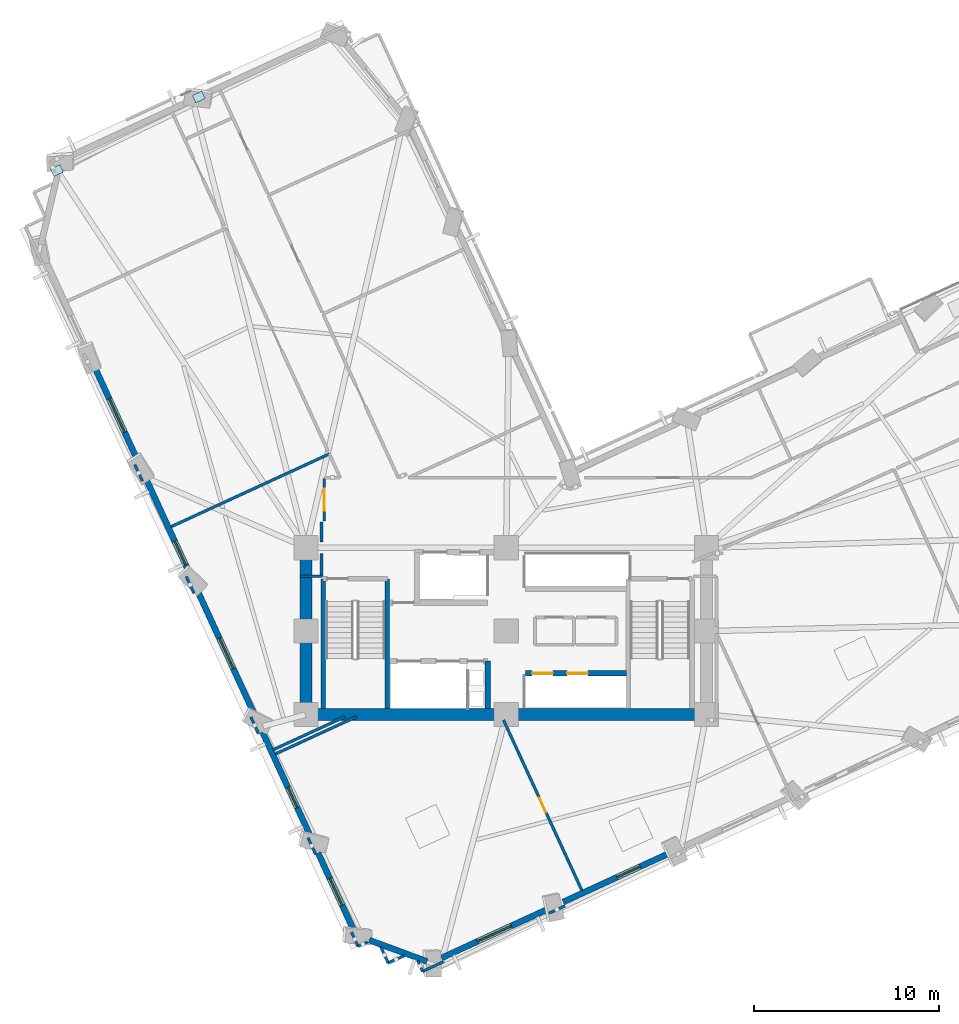
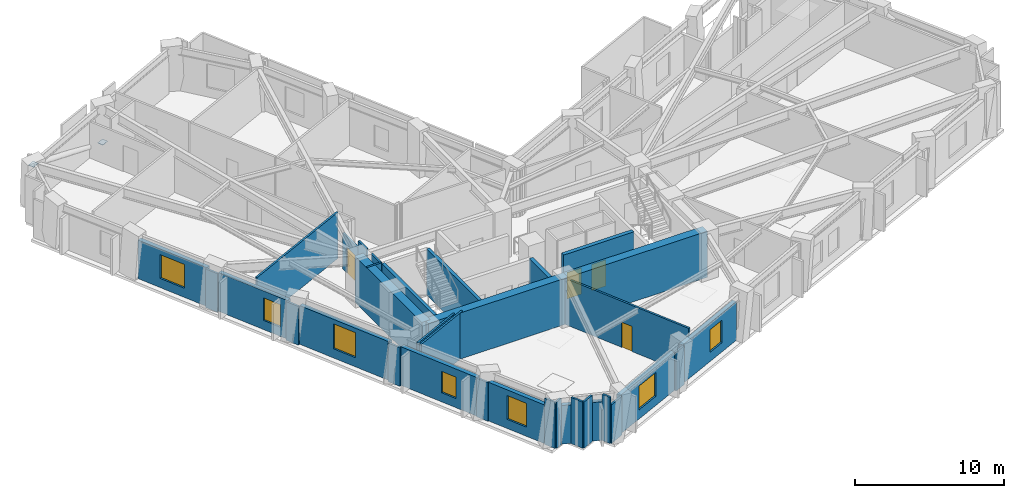
# One storey, part 7 of 16: 34 walls, 7 windows, 4 doors, 2 plates, 11 openings.
"""IFC4 building model written with IfcOpenShell, lengths in metres."""

from ifc_helpers import new_model, si_unit, direction, frame, frame_2d, origin, origin_2d, place, context, subcontext, project, spatial, rectangle, extrude, material, layer, layer_set, type_object, element, fill, save


model = new_model("IFC4")

# Units and contexts
model_context = context("Model", 3, precision=1e-05, world=origin(), true_north=direction((0.0, 1.0)))
body_context = subcontext(model_context, "Body", "Model", "MODEL_VIEW")
ifc_project = project(units=[si_unit("LENGTHUNIT", "METRE"), si_unit("AREAUNIT", "SQUARE_METRE"), si_unit("VOLUMEUNIT", "CUBIC_METRE"), si_unit("PLANEANGLEUNIT", "RADIAN"), si_unit("MASSUNIT", "GRAM", prefix="KILO")], contexts=[model_context])

# Site, building, storey
site_placement = place(None, origin())
site = spatial("IfcSite", under=ifc_project, at=site_placement, CompositionType="ELEMENT")
building_placement = place(site_placement, origin())
building = spatial("IfcBuilding", under=site, at=building_placement, Name="Gaonmaruhae Medical Tower", CompositionType="ELEMENT")
storey_placement = place(building_placement, frame((0.0, 0.0, 128.39990234375)))
storey = spatial("IfcBuildingStorey", under=building, at=storey_placement, Name="L30", CompositionType="ELEMENT", Elevation=128.39990234375)

# Plates
ifc_material_1 = material(Name="Steel HSA650 (650 MPa)", Category="steel")
ifc_layer_1 = layer(ifc_material_1, 0.028076171875)
ifc_layer_set_1 = layer_set([ifc_layer_1], Name="Steel HSA650 (650 MPa)")
plate_type = type_object("IfcPlateType", Name="GP-02 Tube Brace End Cap Gusset Plate", PredefinedType="USERDEFINED", material=ifc_layer_set_1)
for number, where, z_axis, x_axis, name in (
    (1, (8.201904296875, 41.131103515625, 0.23583984375), (0.0, 0.0, 1.0), (0.908508177527, 0.417867073801, 0.0), "L30 Gusset Cap Plate PLT-L30-PBR-N02A"),
    (2, (0.542724609375, 37.158203125, 3.51611328125), (0.0, 0.0, 1.0), (0.901455117112, 0.43287258152, 0.0), "L30 Gusset Cap Plate PLT-L30-PBR-N02B"),
):
    element("IfcPlate", number, at=place(storey_placement, frame(where, z_axis=z_axis, x_axis=x_axis)), inside=storey, type_object=plate_type, Name=name, ObjectType="GUSSET_PLATE", PredefinedType="USERDEFINED", context=body_context, shape_type="SweptSolid", body=[
        extrude(rectangle(XDim=0.56005859375, YDim=0.43994140625, at=origin_2d()), origin(), (0.0, 0.0, 1.0), 0.028076171875),
    ])

# Walls
ifc_material_2 = material(Name="Concrete C60/75", Category="concrete")
ifc_layer_2 = layer(ifc_material_2, 0.64990234375)
ifc_layer_set_2 = layer_set([ifc_layer_2], Name="Concrete C60/75")
wall_type_1 = type_object("IfcWallType", Name="CW-650 Zone 2 Core Shear Wall", PredefinedType="SHEAR", material=ifc_layer_set_2)
for number, where, z_axis, x_axis, name in (
    (3, (14.0, 7.800048828125, 0.0), (0.0, 0.0, 1.0), (1.0, 0.0, 0.0), "L30 Core Shear Wall CSW-S1"),
    (4, (24.800048828125, 7.800048828125, 0.0), (0.0, 0.0, 1.0), (1.0, 0.0, 0.0), "L30 Core Shear Wall CSW-S2"),
):
    element("IfcWall", number, at=place(storey_placement, frame(where, z_axis=z_axis, x_axis=x_axis)), inside=storey, type_object=wall_type_1, Name=name, PredefinedType="SHEAR", context=body_context, shape_type="SweptSolid", body=[
        extrude(rectangle(XDim=10.800048828125, YDim=0.64990234375, at=frame_2d((5.39990234375, 0.0))), origin(), (0.0, 0.0, 1.0), 3.780029296875),
    ])
wall_1_placement = place(storey_placement, frame((14.0, 16.800048828125, 0.0), z_axis=(0.0, 0.0, 1.0), x_axis=(0.0, -1.0, 0.0)))
element("IfcWall", 5, at=wall_1_placement, inside=storey, type_object=wall_type_1, Name="L30 Core Shear Wall CSW-W1", PredefinedType="SHEAR", context=body_context, shape_type="SweptSolid", body=[
    extrude(rectangle(XDim=9.0, YDim=0.64990234375, at=frame_2d((4.5, 0.0))), origin(), (0.0, 0.0, 1.0), 3.780029296875),
])

# Wall, opening, window
ifc_material_3 = material(Name="Precast concrete C45/55", Category="concrete")
ifc_layer_3 = layer(ifc_material_3, 0.320068359375)
ifc_layer_set_3 = layer_set([ifc_layer_3], Name="Precast concrete C45/55")
wall_type_2 = type_object("IfcWallType", Name="EW-320 Lower Precast Masonry-Frame Facade Wall", PredefinedType="SOLIDWALL", material=ifc_layer_set_3)
wall_2_placement = place(storey_placement, frame((27.007568359375, -2.722900390625, 0.0), z_axis=(0.0, 0.0, 1.0), x_axis=(-0.908501096376, -0.417882468983, 0.0)))
wall_2 = element("IfcWall", 6, at=wall_2_placement, inside=storey, type_object=wall_type_2, Name="L30 Precast Masonry-Frame Wall S01-S02", PredefinedType="SOLIDWALL", context=body_context, shape_type="SweptSolid", body=[
    extrude(rectangle(XDim=6.27001953125, YDim=0.320068359375, at=frame_2d((3.135009765625, 0.0))), origin(), (0.0, 0.0, 1.0), 3.1650390625),
])
opening_1_placement = place(wall_2_placement, frame((2.12939453125, 0.0, 0.75)))
opening_1 = element("IfcOpeningElement", 7, at=opening_1_placement, cuts=wall_2, Name="Opening WN-02", PredefinedType="OPENING", context=body_context, shape_type="SweptSolid", body=[
    extrude(rectangle(XDim=2.0, YDim=1.949951171875, at=frame_2d((1.0, 0.97509765625))), frame((0.0, 0.169921875, 0.0), z_axis=(0.0, -1.0, 0.0), x_axis=(1.0, 0.0, 0.0)), (0.0, 0.0, 1.0), 0.340087890625),
])
ifc_material_4 = material(Name="Anodised aluminium and Low-E double glazing", Category="aluminium")
window_type_1 = type_object("IfcWindowType", Name="WN-02 Double-Bed Ward Punched Window 2000x1950", PartitioningType="SINGLE_PANEL", PredefinedType="WINDOW", material=ifc_material_4)
window_1_placement = place(opening_1_placement, origin())
window_1 = element("IfcWindow", 8, at=window_1_placement, inside=storey, type_object=window_type_1, Name="L30 Modular Facade Window S01", OverallHeight=1.949951171875, OverallWidth=2.0, PartitioningType="SINGLE_PANEL", PredefinedType="WINDOW", context=body_context, shape_type="SweptSolid", body=[
    extrude(rectangle(XDim=2.0, YDim=1.949951171875, at=frame_2d((1.0, 0.97509765625))), frame((0.0, 0.030029296875, 0.0), z_axis=(0.0, -1.0, 0.0), x_axis=(1.0, 0.0, 0.0)), (0.0, 0.0, 1.0), 0.06005859375),
])
fill(opening_1, window_1)

wall_3_placement = place(storey_placement, frame((33.535888671875, 0.27978515625, 0.0), z_axis=(0.0, 0.0, 1.0), x_axis=(-0.90851334846, -0.417855831203, 0.0)))
wall_3 = element("IfcWall", 9, at=wall_3_placement, inside=storey, type_object=wall_type_2, Name="L30 Precast Masonry-Frame Wall S02-S03", PredefinedType="SOLIDWALL", context=body_context, shape_type="SweptSolid", body=[
    extrude(rectangle(XDim=6.234130859375, YDim=0.320068359375, at=frame_2d((3.1171875, 0.0))), origin(), (0.0, 0.0, 1.0), 3.1650390625),
])
opening_2_placement = place(wall_3_placement, frame((1.644287109375, 0.0, 0.75)))
opening_2 = element("IfcOpeningElement", 10, at=opening_2_placement, cuts=wall_3, Name="Opening WN-03", PredefinedType="OPENING", context=body_context, shape_type="SweptSolid", body=[
    extrude(rectangle(XDim=1.39990234375, YDim=1.85009765625, at=frame_2d((0.699951171875, 0.925048828125))), frame((0.0, 0.169921875, 0.0), z_axis=(0.0, -1.0, 0.0), x_axis=(1.0, 0.0, 0.0)), (0.0, 0.0, 1.0), 0.340087890625),
])
window_type_2 = type_object("IfcWindowType", Name="WN-03 Isolation Ward Punched Window 1400x1850", PartitioningType="SINGLE_PANEL", PredefinedType="WINDOW", material=ifc_material_4)
window_2_placement = place(opening_2_placement, origin())
window_2 = element("IfcWindow", 11, at=window_2_placement, inside=storey, type_object=window_type_2, Name="L30 Modular Facade Window S02", OverallHeight=1.85009765625, OverallWidth=1.39990234375, PartitioningType="SINGLE_PANEL", PredefinedType="WINDOW", context=body_context, shape_type="SweptSolid", body=[
    extrude(rectangle(XDim=1.39990234375, YDim=1.85009765625, at=frame_2d((0.699951171875, 0.925048828125))), frame((0.0, 0.030029296875, 0.0), z_axis=(0.0, -1.0, 0.0), x_axis=(1.0, 0.0, 0.0)), (0.0, 0.0, 1.0), 0.06005859375),
])
fill(opening_2, window_2)

wall_4_placement = place(storey_placement, frame((4.957763671875, 21.3818359375, 0.0), z_axis=(0.0, 0.0, 1.0), x_axis=(-0.417858344015, 0.908512192729, 0.0)))
wall_4 = element("IfcWall", 12, at=wall_4_placement, inside=storey, type_object=wall_type_2, Name="L30 Precast Masonry-Frame Wall W02-W03", PredefinedType="SOLIDWALL", context=body_context, shape_type="SweptSolid", body=[
    extrude(rectangle(XDim=5.627685546875, YDim=0.320068359375, at=frame_2d((2.81396484375, 0.0))), origin(), (0.0, 0.0, 1.0), 3.1650390625),
])
opening_3_placement = place(wall_4_placement, frame((1.811279296875, 0.0, 0.75)))
opening_3 = element("IfcOpeningElement", 13, at=opening_3_placement, cuts=wall_4, Name="Opening WN-02", PredefinedType="OPENING", context=body_context, shape_type="SweptSolid", body=[
    extrude(rectangle(XDim=2.0, YDim=1.949951171875, at=frame_2d((1.0, 0.97509765625))), frame((0.0, 0.169921875, 0.0), z_axis=(0.0, -1.0, 0.0), x_axis=(1.0, 0.0, 0.0)), (0.0, 0.0, 1.0), 0.340087890625),
])
window_3_placement = place(opening_3_placement, origin())
window_3 = element("IfcWindow", 14, at=window_3_placement, inside=storey, type_object=window_type_1, Name="L30 Modular Facade Window W02", OverallHeight=1.949951171875, OverallWidth=2.0, PartitioningType="SINGLE_PANEL", PredefinedType="WINDOW", context=body_context, shape_type="SweptSolid", body=[
    extrude(rectangle(XDim=2.0, YDim=1.949951171875, at=frame_2d((1.0, 0.97509765625))), frame((0.0, 0.030029296875, 0.0), z_axis=(0.0, -1.0, 0.0), x_axis=(1.0, 0.0, 0.0)), (0.0, 0.0, 1.0), 0.06005859375),
])
fill(opening_3, window_3)

wall_5_placement = place(storey_placement, frame((7.734619140625, 15.344970703125, 0.0), z_axis=(0.0, 0.0, 1.0), x_axis=(-0.417898490709, 0.908493726706, 0.0)))
wall_5 = element("IfcWall", 15, at=wall_5_placement, inside=storey, type_object=wall_type_2, Name="L30 Precast Masonry-Frame Wall W03-W04", PredefinedType="SOLIDWALL", context=body_context, shape_type="SweptSolid", body=[
    extrude(rectangle(XDim=5.662109375, YDim=0.320068359375, at=frame_2d((2.8310546875, 0.0))), origin(), (0.0, 0.0, 1.0), 3.1650390625),
])
opening_4_placement = place(wall_5_placement, frame((0.5859375, 0.0, 0.75)))
opening_4 = element("IfcOpeningElement", 16, at=opening_4_placement, cuts=wall_5, Name="Opening WN-03", PredefinedType="OPENING", context=body_context, shape_type="SweptSolid", body=[
    extrude(rectangle(XDim=1.39990234375, YDim=1.85009765625, at=frame_2d((0.699951171875, 0.925048828125))), frame((0.0, 0.169921875, 0.0), z_axis=(0.0, -1.0, 0.0), x_axis=(1.0, 0.0, 0.0)), (0.0, 0.0, 1.0), 0.340087890625),
])
window_4_placement = place(opening_4_placement, origin())
window_4 = element("IfcWindow", 17, at=window_4_placement, inside=storey, type_object=window_type_2, Name="L30 Modular Facade Window W03", OverallHeight=1.85009765625, OverallWidth=1.39990234375, PartitioningType="SINGLE_PANEL", PredefinedType="WINDOW", context=body_context, shape_type="SweptSolid", body=[
    extrude(rectangle(XDim=1.39990234375, YDim=1.85009765625, at=frame_2d((0.699951171875, 0.925048828125))), frame((0.0, 0.030029296875, 0.0), z_axis=(0.0, -1.0, 0.0), x_axis=(1.0, 0.0, 0.0)), (0.0, 0.0, 1.0), 0.06005859375),
])
fill(opening_4, window_4)

wall_6_placement = place(storey_placement, frame((11.224609375, 7.7568359375, 0.0), z_axis=(0.0, 0.0, 1.0), x_axis=(-0.417879873404, 0.908502290258, 0.0)))
wall_6 = element("IfcWall", 18, at=wall_6_placement, inside=storey, type_object=wall_type_2, Name="L30 Precast Masonry-Frame Wall W04-W05", PredefinedType="SOLIDWALL", context=body_context, shape_type="SweptSolid", body=[
    extrude(rectangle(XDim=7.360107421875, YDim=0.320068359375, at=frame_2d((3.68017578125, 0.0))), origin(), (0.0, 0.0, 1.0), 3.1650390625),
])
opening_5_placement = place(wall_6_placement, frame((2.78076171875, 0.0, 0.75)))
opening_5 = element("IfcOpeningElement", 19, at=opening_5_placement, cuts=wall_6, Name="Opening WN-04", PredefinedType="OPENING", context=body_context, shape_type="SweptSolid", body=[
    extrude(rectangle(XDim=1.800048828125, YDim=2.050048828125, at=frame_2d((0.89990234375, 1.02490234375))), frame((0.0, 0.169921875, 0.0), z_axis=(0.0, -1.0, 0.0), x_axis=(1.0, 0.0, 0.0)), (0.0, 0.0, 1.0), 0.340087890625),
])
window_type_3 = type_object("IfcWindowType", Name="WN-04 Clinic & Consult Punched Window 1800x2050", PartitioningType="SINGLE_PANEL", PredefinedType="WINDOW", material=ifc_material_4)
window_5_placement = place(opening_5_placement, origin())
window_5 = element("IfcWindow", 20, at=window_5_placement, inside=storey, type_object=window_type_3, Name="L30 Modular Facade Window W04", OverallHeight=2.050048828125, OverallWidth=1.800048828125, PartitioningType="SINGLE_PANEL", PredefinedType="WINDOW", context=body_context, shape_type="SweptSolid", body=[
    extrude(rectangle(XDim=1.800048828125, YDim=2.050048828125, at=frame_2d((0.89990234375, 1.02490234375))), frame((0.0, 0.030029296875, 0.0), z_axis=(0.0, -1.0, 0.0), x_axis=(1.0, 0.0, 0.0)), (0.0, 0.0, 1.0), 0.06005859375),
])
fill(opening_5, window_5)

wall_7_placement = place(storey_placement, frame((14.2373046875, 1.20654296875, 0.0), z_axis=(0.0, 0.0, 1.0), x_axis=(-0.417868697018, 0.908507430928, 0.0)))
wall_7 = element("IfcWall", 21, at=wall_7_placement, inside=storey, type_object=wall_type_2, Name="L30 Precast Masonry-Frame Wall W05-W06", PredefinedType="SOLIDWALL", context=body_context, shape_type="SweptSolid", body=[
    extrude(rectangle(XDim=6.223388671875, YDim=0.320068359375, at=frame_2d((3.11181640625, 0.0))), origin(), (0.0, 0.0, 1.0), 3.1650390625),
])
opening_6_placement = place(wall_7_placement, frame((1.72021484375, 0.0, 0.75)))
opening_6 = element("IfcOpeningElement", 22, at=opening_6_placement, cuts=wall_7, Name="Opening WN-05", PredefinedType="OPENING", context=body_context, shape_type="SweptSolid", body=[
    extrude(rectangle(XDim=1.199951171875, YDim=1.75, at=frame_2d((0.60009765625, 0.875))), frame((0.0, 0.169921875, 0.0), z_axis=(0.0, -1.0, 0.0), x_axis=(1.0, 0.0, 0.0)), (0.0, 0.0, 1.0), 0.340087890625),
])
window_type_4 = type_object("IfcWindowType", Name="WN-05 Support & Staff Punched Window 1200x1750", PartitioningType="SINGLE_PANEL", PredefinedType="WINDOW", material=ifc_material_4)
window_6_placement = place(opening_6_placement, origin())
window_6 = element("IfcWindow", 23, at=window_6_placement, inside=storey, type_object=window_type_4, Name="L30 Modular Facade Window W05", OverallHeight=1.75, OverallWidth=1.199951171875, PartitioningType="SINGLE_PANEL", PredefinedType="WINDOW", context=body_context, shape_type="SweptSolid", body=[
    extrude(rectangle(XDim=1.199951171875, YDim=1.75, at=frame_2d((0.60009765625, 0.875))), frame((0.0, 0.030029296875, 0.0), z_axis=(0.0, -1.0, 0.0), x_axis=(1.0, 0.0, 0.0)), (0.0, 0.0, 1.0), 0.06005859375),
])
fill(opening_6, window_6)

wall_8_placement = place(storey_placement, frame((16.5830078125, -3.892822265625, 0.0), z_axis=(0.0, 0.0, 1.0), x_axis=(-0.417895202316, 0.908495239328, 0.0)))
wall_8 = element("IfcWall", 24, at=wall_8_placement, inside=storey, type_object=wall_type_2, Name="L30 Precast Masonry-Frame Wall W06-W07", PredefinedType="SOLIDWALL", context=body_context, shape_type="SweptSolid", body=[
    extrude(rectangle(XDim=4.6474609375, YDim=0.320068359375, at=frame_2d((2.32373046875, 0.0))), origin(), (0.0, 0.0, 1.0), 3.1650390625),
])
opening_7_placement = place(wall_8_placement, frame((1.527099609375, 0.0, 0.75)))
opening_7 = element("IfcOpeningElement", 25, at=opening_7_placement, cuts=wall_8, Name="Opening WN-01", PredefinedType="OPENING", context=body_context, shape_type="SweptSolid", body=[
    extrude(rectangle(XDim=1.60009765625, YDim=1.949951171875, at=frame_2d((0.800048828125, 0.97509765625))), frame((0.0, 0.169921875, 0.0), z_axis=(0.0, -1.0, 0.0), x_axis=(1.0, 0.0, 0.0)), (0.0, 0.0, 1.0), 0.340087890625),
])
window_type_5 = type_object("IfcWindowType", Name="WN-01 Ward Punched Acoustic Window 1600x1950", PartitioningType="SINGLE_PANEL", PredefinedType="WINDOW", material=ifc_material_4)
window_7_placement = place(opening_7_placement, origin())
window_7 = element("IfcWindow", 26, at=window_7_placement, inside=storey, type_object=window_type_5, Name="L30 Modular Facade Window W06", OverallHeight=1.949951171875, OverallWidth=1.60009765625, PartitioningType="SINGLE_PANEL", PredefinedType="WINDOW", context=body_context, shape_type="SweptSolid", body=[
    extrude(rectangle(XDim=1.60009765625, YDim=1.949951171875, at=frame_2d((0.800048828125, 0.97509765625))), frame((0.0, 0.030029296875, 0.0), z_axis=(0.0, -1.0, 0.0), x_axis=(1.0, 0.0, 0.0)), (0.0, 0.0, 1.0), 0.06005859375),
])
fill(opening_7, window_7)

# Walls
wall_9_placement = place(storey_placement, frame((20.521240234375, -5.533203125, 0.0), z_axis=(0.0, 0.0, 1.0), x_axis=(-0.937863038227, 0.347005650571, 0.0)))
element("IfcWall", 27, at=wall_9_placement, inside=storey, type_object=wall_type_2, Name="L30 Precast Masonry-Frame Wall W07-S01", PredefinedType="SOLIDWALL", context=body_context, shape_type="SweptSolid", body=[
    extrude(rectangle(XDim=3.322998046875, YDim=0.320068359375, at=frame_2d((1.66162109375, 0.0))), origin(), (0.0, 0.0, 1.0), 3.1650390625),
])
ifc_material_5 = material(Name="Gypsum board partition", Category="gypsum")
ifc_layer_4 = layer(ifc_material_5, 0.14990234375)
ifc_layer_set_4 = layer_set([ifc_layer_4], Name="Gypsum board partition")
wall_type_3 = type_object("IfcWallType", Name="PW-150 Rated Clinical Corridor Partition", PredefinedType="PARTITIONING", material=ifc_layer_set_4)
wall_10_placement = place(storey_placement, frame((18.425048828125, -5.625, 0.0), z_axis=(0.0, 0.0, 1.0), x_axis=(-0.417880417592, 0.90850203995, 0.0)))
element("IfcWall", 28, at=wall_10_placement, inside=storey, type_object=wall_type_3, Name="L30 Interior Partition L30-SUP01-8", PredefinedType="PARTITIONING", context=body_context, shape_type="SweptSolid", body=[
    extrude(rectangle(XDim=0.9599609375, YDim=0.14990234375, at=frame_2d((0.47998046875, 0.0))), origin(), (0.0, 0.0, 1.0), 3.780029296875),
])
wall_11_placement = place(storey_placement, frame((17.318115234375, -4.48291015625, 0.0), z_axis=(0.0, 0.0, 1.0), x_axis=(-0.908321681283, -0.418272307608, 0.0)))
element("IfcWall", 29, at=wall_11_placement, inside=storey, type_object=wall_type_3, Name="L30 Interior Partition L30-SUP01-9", PredefinedType="PARTITIONING", context=body_context, shape_type="SweptSolid", body=[
    extrude(rectangle(XDim=0.571533203125, YDim=0.14990234375, at=frame_2d((0.28564453125, 0.0))), origin(), (0.0, 0.0, 1.0), 3.780029296875),
])
wall_12_placement = place(storey_placement, frame((16.799072265625, -4.721923828125, 0.0), z_axis=(0.0, 0.0, 1.0), x_axis=(-0.417661755759, 0.90860258517, 0.0)))
element("IfcWall", 30, at=wall_12_placement, inside=storey, type_object=wall_type_3, Name="L30 Interior Partition L30-SUP01-10", PredefinedType="PARTITIONING", context=body_context, shape_type="SweptSolid", body=[
    extrude(rectangle(XDim=0.843017578125, YDim=0.14990234375, at=frame_2d((0.42138671875, 0.0))), origin(), (0.0, 0.0, 1.0), 3.780029296875),
])
wall_13_placement = place(storey_placement, frame((14.5048828125, 0.26708984375, 0.0), z_axis=(0.0, 0.0, 1.0), x_axis=(-0.418256213437, 0.908329092301, 0.0)))
element("IfcWall", 31, at=wall_13_placement, inside=storey, type_object=wall_type_3, Name="L30 Interior Partition L30-SUP01-11", PredefinedType="PARTITIONING", context=body_context, shape_type="SweptSolid", body=[
    extrude(rectangle(XDim=0.965576171875, YDim=0.14990234375, at=frame_2d((0.48291015625, 0.0))), origin(), (0.0, 0.0, 1.0), 3.1650390625),
])
wall_14_placement = place(storey_placement, frame((12.3359375, 5.6640625, 0.0), z_axis=(0.0, 0.0, 1.0), x_axis=(0.908538975246, 0.417800108257, 0.0)))
element("IfcWall", 32, at=wall_14_placement, inside=storey, type_object=wall_type_3, Name="L30 Interior Partition L30-SUP01-12", PredefinedType="PARTITIONING", context=body_context, shape_type="SweptSolid", body=[
    extrude(rectangle(XDim=4.813232421875, YDim=0.14990234375, at=frame_2d((2.40673828125, 0.0))), origin(), (0.0, 0.0, 1.0), 3.780029296875),
])

# Wall, opening, door
wall_15_placement = place(storey_placement, frame((24.64990234375, 7.5, 0.0), z_axis=(0.0, 0.0, 1.0), x_axis=(0.417865058601, -0.908509104413, 0.0)))
wall_15 = element("IfcWall", 33, at=wall_15_placement, inside=storey, type_object=wall_type_3, Name="L30 Interior Partition L30-SUP01-13", PredefinedType="PARTITIONING", context=body_context, shape_type="SweptSolid", body=[
    extrude(rectangle(XDim=10.137451171875, YDim=0.14990234375, at=frame_2d((5.06884765625, 0.0))), origin(), (0.0, 0.0, 1.0), 3.780029296875),
])
opening_8_placement = place(wall_15_placement, frame((4.638671875, 0.0, 0.0)))
opening_8 = element("IfcOpeningElement", 34, at=opening_8_placement, cuts=wall_15, Name="Opening AD-01", PredefinedType="OPENING", context=body_context, shape_type="SweptSolid", body=[
    extrude(rectangle(XDim=0.860107421875, YDim=2.06005859375, at=frame_2d((0.43017578125, 1.030029296875))), frame((0.0, 0.0849609375, 0.0), z_axis=(0.0, -1.0, 0.0), x_axis=(1.0, 0.0, 0.0)), (0.0, 0.0, 1.0), 0.169921875),
])
ifc_material_6 = material(Name="Powder-coated steel access door", Category="steel")
door_type_1 = type_object("IfcDoorType", Name="AD-01 Riser & Closet Access Fire Door 860x2060", OperationType="NOTDEFINED", PredefinedType="DOOR", material=ifc_material_6)
door_1_placement = place(opening_8_placement, origin())
door_1 = element("IfcDoor", 35, at=door_1_placement, inside=storey, type_object=door_type_1, Name="L30 Clinical Biomedical Charting Office Sliding Door", OperationType="SLIDING_TO_LEFT", OverallHeight=2.06005859375, OverallWidth=0.860107421875, PredefinedType="DOOR", context=body_context, shape_type="SweptSolid", body=[
    extrude(rectangle(XDim=0.860107421875, YDim=2.06005859375, at=frame_2d((0.43017578125, 1.030029296875))), frame((0.0, 0.02490234375, 0.0), z_axis=(0.0, -1.0, 0.0), x_axis=(1.0, 0.0, 0.0)), (0.0, 0.0, 1.0), 0.050048828125),
])
fill(opening_8, door_1)

# Walls
wall_16_placement = place(storey_placement, frame((27.968017578125, -2.533935546875, 0.0), z_axis=(0.0, 0.0, 1.0), x_axis=(-0.908289619133, -0.418341926868, 0.0)))
element("IfcWall", 36, at=wall_16_placement, inside=storey, type_object=wall_type_3, Name="L30 Interior Partition L30-SUP01-14", PredefinedType="PARTITIONING", context=body_context, shape_type="SweptSolid", body=[
    extrude(rectangle(XDim=0.951171875, YDim=0.14990234375, at=frame_2d((0.4755859375, 0.0))), origin(), (0.0, 0.0, 1.0), 3.1650390625),
])
wall_17_placement = place(storey_placement, frame((21.406982421875, -5.552001953125, 0.0), z_axis=(0.0, 0.0, 1.0), x_axis=(-0.908454552694, -0.417983642849, 0.0)))
element("IfcWall", 37, at=wall_17_placement, inside=storey, type_object=wall_type_3, Name="L30 Interior Partition L30-SUP01-15", PredefinedType="PARTITIONING", context=body_context, shape_type="SweptSolid", body=[
    extrude(rectangle(XDim=1.239501953125, YDim=0.14990234375, at=frame_2d((0.61962890625, 0.0))), origin(), (0.0, 0.0, 1.0), 3.1650390625),
])
wall_18_placement = place(storey_placement, frame((20.281005859375, -6.070068359375, 0.0), z_axis=(0.0, 0.0, 1.0), x_axis=(-0.41765351728, 0.908606372145, 0.0)))
element("IfcWall", 38, at=wall_18_placement, inside=storey, type_object=wall_type_3, Name="L30 Interior Partition L30-SUP01-16", PredefinedType="PARTITIONING", context=body_context, shape_type="SweptSolid", body=[
    extrude(rectangle(XDim=0.639404296875, YDim=0.14990234375, at=frame_2d((0.31982421875, 0.0))), origin(), (0.0, 0.0, 1.0), 3.780029296875),
])
wall_19_placement = place(storey_placement, frame((19.297119140625, -5.22412109375, 0.0), z_axis=(0.0, 0.0, 1.0), x_axis=(-0.908598584869, -0.417670458106, 0.0)))
element("IfcWall", 39, at=wall_19_placement, inside=storey, type_object=wall_type_3, Name="L30 Interior Partition L30-SUP01-17", PredefinedType="PARTITIONING", context=body_context, shape_type="SweptSolid", body=[
    extrude(rectangle(XDim=0.959716796875, YDim=0.14990234375, at=frame_2d((0.47998046875, 0.0))), origin(), (0.0, 0.0, 1.0), 3.780029296875),
])

# Wall, opening, door
wall_20_placement = place(storey_placement, frame((14.969970703125, 20.550048828125, 0.0), z_axis=(0.0, 0.0, 1.0), x_axis=(0.0, -1.0, 0.0)))
wall_20 = element("IfcWall", 40, at=wall_20_placement, inside=storey, type_object=wall_type_3, Name="L30 Interior Partition L30-WOF05-37", PredefinedType="PARTITIONING", context=body_context, shape_type="SweptSolid", body=[
    extrude(rectangle(XDim=2.320068359375, YDim=0.14990234375, at=frame_2d((1.16015625, 0.0))), origin(), (0.0, 0.0, 1.0), 2.965087890625),
])
opening_9_placement = place(wall_20_placement, frame((0.56005859375, 0.0, 0.0)))
opening_9 = element("IfcOpeningElement", 41, at=opening_9_placement, cuts=wall_20, Name="Opening CD-02", PredefinedType="OPENING", context=body_context, shape_type="SweptSolid", body=[
    extrude(rectangle(XDim=1.199951171875, YDim=2.14990234375, at=frame_2d((0.60009765625, 1.074951171875))), frame((0.0, 0.0849609375, 0.0), z_axis=(0.0, -1.0, 0.0), x_axis=(1.0, 0.0, 0.0)), (0.0, 0.0, 1.0), 0.169921875),
])
ifc_material_7 = material(Name="Antimicrobial laminate timber fire door", Category="wood")
door_type_2 = type_object("IfcDoorType", Name="CD-02 Clinical Treatment & Procedure Door 1200x2150", OperationType="NOTDEFINED", PredefinedType="DOOR", material=ifc_material_7)
door_2_placement = place(opening_9_placement, origin())
door_2 = element("IfcDoor", 42, at=door_2_placement, inside=storey, type_object=door_type_2, Name="L30 Ward Physician Reporting Office Door", OperationType="SINGLE_SWING_LEFT", OverallHeight=2.14990234375, OverallWidth=1.199951171875, PredefinedType="DOOR", context=body_context, shape_type="SweptSolid", body=[
    extrude(rectangle(XDim=1.199951171875, YDim=2.14990234375, at=frame_2d((0.60009765625, 1.074951171875))), frame((0.0, 0.02490234375, 0.0), z_axis=(0.0, -1.0, 0.0), x_axis=(1.0, 0.0, 0.0)), (0.0, 0.0, 1.0), 0.050048828125),
])
fill(opening_9, door_2)

# Walls
wall_21_placement = place(storey_placement, frame((14.820068359375, 18.199951171875, 0.0), z_axis=(0.0, 0.0, 1.0), x_axis=(0.0, -1.0, 0.0)))
element("IfcWall", 43, at=wall_21_placement, inside=storey, type_object=wall_type_3, Name="L30 Interior Partition L30-WOF05-38", PredefinedType="PARTITIONING", context=body_context, shape_type="SweptSolid", body=[
    extrude(rectangle(XDim=1.091064453125, YDim=0.14990234375, at=frame_2d((0.54541015625, 0.0))), origin(), (0.0, 0.0, 1.0), 3.780029296875),
])
wall_22_placement = place(storey_placement, frame((14.820068359375, 16.490966796875, 0.0), z_axis=(0.0, 0.0, 1.0), x_axis=(0.0, -1.0, 0.0)))
element("IfcWall", 44, at=wall_22_placement, inside=storey, type_object=wall_type_3, Name="L30 Interior Partition L30-WOF05-39", PredefinedType="PARTITIONING", context=body_context, shape_type="SweptSolid", body=[
    extrude(rectangle(XDim=1.23095703125, YDim=0.14990234375, at=frame_2d((0.615478515625, 0.0))), origin(), (0.0, 0.0, 1.0), 3.780029296875),
])
wall_23_placement = place(storey_placement, frame((14.820068359375, 15.260009765625, 0.0), z_axis=(0.0, 0.0, 1.0), x_axis=(-1.0, 0.0, 0.0)))
element("IfcWall", 45, at=wall_23_placement, inside=storey, type_object=wall_type_3, Name="L30 Interior Partition L30-WOF05-40", PredefinedType="PARTITIONING", context=body_context, shape_type="SweptSolid", body=[
    extrude(rectangle(XDim=1.1201171875, YDim=0.14990234375, at=frame_2d((0.56005859375, 0.0))), origin(), (0.0, 0.0, 1.0), 3.780029296875),
])
wall_24_placement = place(storey_placement, frame((16.0869140625, 7.675048828125, 0.0), z_axis=(0.0, 0.0, 1.0), x_axis=(-0.90852535741, -0.417829720033, 0.0)))
element("IfcWall", 46, at=wall_24_placement, inside=storey, type_object=wall_type_3, Name="L30 Interior Partition L30-WOF05-41", PredefinedType="PARTITIONING", context=body_context, shape_type="SweptSolid", body=[
    extrude(rectangle(XDim=4.24853515625, YDim=0.14990234375, at=frame_2d((2.124267578125, 0.0))), origin(), (0.0, 0.0, 1.0), 3.780029296875),
])
wall_25_placement = place(storey_placement, frame((11.427978515625, 6.764892578125, 0.0), z_axis=(0.0, 0.0, 1.0), x_axis=(-0.417660387522, 0.908603214112, 0.0)))
element("IfcWall", 47, at=wall_25_placement, inside=storey, type_object=wall_type_3, Name="L30 Interior Partition L30-WOF05-42", PredefinedType="PARTITIONING", context=body_context, shape_type="SweptSolid", body=[
    extrude(rectangle(XDim=0.986083984375, YDim=0.14990234375, at=frame_2d((0.4931640625, 0.0))), origin(), (0.0, 0.0, 1.0), 3.1650390625),
])
wall_26_placement = place(storey_placement, frame((7.93994140625, 14.346923828125, 0.0), z_axis=(0.0, 0.0, 1.0), x_axis=(-0.417966484474, 0.908462447136, 0.0)))
element("IfcWall", 48, at=wall_26_placement, inside=storey, type_object=wall_type_3, Name="L30 Interior Partition L30-WOF05-43", PredefinedType="PARTITIONING", context=body_context, shape_type="SweptSolid", body=[
    extrude(rectangle(XDim=0.992919921875, YDim=0.14990234375, at=frame_2d((0.49658203125, 0.0))), origin(), (0.0, 0.0, 1.0), 3.1650390625),
])
wall_27_placement = place(storey_placement, frame((6.695068359375, 17.928955078125, 0.0), z_axis=(0.0, 0.0, 1.0), x_axis=(0.908502070269, 0.417880351677, 0.0)))
element("IfcWall", 49, at=wall_27_placement, inside=storey, type_object=wall_type_3, Name="L30 Interior Partition L30-WOF05-44", PredefinedType="PARTITIONING", context=body_context, shape_type="SweptSolid", body=[
    extrude(rectangle(XDim=9.414306640625, YDim=0.14990234375, at=frame_2d((4.70703125, 0.0))), origin(), (0.0, 0.0, 1.0), 3.780029296875),
])
wall_28_placement = place(storey_placement, frame((5.158935546875, 20.39306640625, 0.0), z_axis=(0.0, 0.0, 1.0), x_axis=(-0.41724505212, 0.908794017631, 0.0)))
element("IfcWall", 50, at=wall_28_placement, inside=storey, type_object=wall_type_3, Name="L30 Interior Partition L30-WOF06-49", PredefinedType="PARTITIONING", context=body_context, shape_type="SweptSolid", body=[
    extrude(rectangle(XDim=0.982421875, YDim=0.14990234375, at=frame_2d((0.4912109375, 0.0))), origin(), (0.0, 0.0, 1.0), 3.1650390625),
])
ifc_material_8 = material(Name="Concrete C50/60", Category="concrete")
ifc_layer_5 = layer(ifc_material_8, 0.239990234375)
ifc_layer_set_5 = layer_set([ifc_layer_5], Name="Concrete C50/60")
wall_type_4 = type_object("IfcWallType", Name="SW-240 Dogleg Stair Tight Shaft Wall", PredefinedType="SOLIDWALL", material=ifc_layer_set_5)
for number, where, z_axis, x_axis, name in (
    (51, (18.3798828125, 15.1201171875, 0.0), (0.0, 0.0, 1.0), (0.0, -1.0, 0.0), "L30 ST-01 Stair Shaft Wall SHW-ST-01-E"),
    (52, (14.919921875, 8.125, 0.0), (0.0, 0.0, 1.0), (0.0, 1.0, 0.0), "L30 ST-01 Stair Shaft Wall SHW-ST-01-W"),
):
    element("IfcWall", number, at=place(storey_placement, frame(where, z_axis=z_axis, x_axis=x_axis)), inside=storey, type_object=wall_type_4, Name=name, PredefinedType="SOLIDWALL", context=body_context, shape_type="SweptSolid", body=[
        extrude(rectangle(XDim=6.9951171875, YDim=0.239990234375, at=frame_2d((3.49755859375, 0.0))), origin(), (0.0, 0.0, 1.0), 3.780029296875),
    ])
ifc_layer_6 = layer(ifc_material_8, 0.300048828125)
ifc_layer_set_6 = layer_set([ifc_layer_6], Name="Concrete C50/60")
wall_type_5 = type_object("IfcWallType", Name="SW-300 Stair & Lift Hoistway Shaft Wall", PredefinedType="SOLIDWALL", material=ifc_layer_set_6)
wall_29_placement = place(storey_placement, frame((23.800048828125, 8.125, 0.0), z_axis=(0.0, 0.0, 1.0), x_axis=(0.0, 1.0, 0.0)))
element("IfcWall", 53, at=wall_29_placement, inside=storey, type_object=wall_type_5, Name="L30 Shaft Enclosure Wall SHW-FFE", PredefinedType="SOLIDWALL", context=body_context, shape_type="SweptSolid", body=[
    extrude(rectangle(XDim=2.554931640625, YDim=0.300048828125, at=frame_2d((1.27734375, 0.0))), origin(), (0.0, 0.0, 1.0), 3.780029296875),
])

# Wall, openings, doors
wall_30_placement = place(storey_placement, frame((25.85009765625, 10.02001953125, 0.0), z_axis=(0.0, 0.0, 1.0), x_axis=(1.0, 0.0, 0.0)))
wall_30 = element("IfcWall", 54, at=wall_30_placement, inside=storey, type_object=wall_type_5, Name="L30 Shaft Enclosure Wall SHW-PLS", PredefinedType="SOLIDWALL", context=body_context, shape_type="SweptSolid", body=[
    extrude(rectangle(XDim=5.449951171875, YDim=0.300048828125, at=frame_2d((2.72509765625, 0.0))), origin(), (0.0, 0.0, 1.0), 3.780029296875),
])
opening_10_placement = place(wall_30_placement, frame((0.340087890625, 0.0, 0.0)))
opening_10 = element("IfcOpeningElement", 55, at=opening_10_placement, cuts=wall_30, Name="Opening LD-P1", PredefinedType="OPENING", context=body_context, shape_type="SweptSolid", body=[
    extrude(rectangle(XDim=1.1201171875, YDim=2.14990234375, at=frame_2d((0.56005859375, 1.074951171875))), frame((0.0, 0.16015625, 0.0), z_axis=(0.0, -1.0, 0.0), x_axis=(1.0, 0.0, 0.0)), (0.0, 0.0, 1.0), 0.320068359375),
])
opening_11_placement = place(wall_30_placement, frame((2.239990234375, 0.0, 0.0)))
opening_11 = element("IfcOpeningElement", 56, at=opening_11_placement, cuts=wall_30, Name="Opening LD-P1", PredefinedType="OPENING", context=body_context, shape_type="SweptSolid", body=[
    extrude(rectangle(XDim=1.1201171875, YDim=2.14990234375, at=frame_2d((0.56005859375, 1.074951171875))), frame((0.0, 0.16015625, 0.0), z_axis=(0.0, -1.0, 0.0), x_axis=(1.0, 0.0, 0.0)), (0.0, 0.0, 1.0), 0.320068359375),
])
ifc_material_9 = material(Name="Brushed stainless steel 304 landing door", Category="steel")
door_type_3 = type_object("IfcDoorType", Name="LD-P1 Passenger Lift Sliding Landing Door 1120x2150", OperationType="NOTDEFINED", PredefinedType="DOOR", material=ifc_material_9)
door_3_placement = place(opening_10_placement, origin())
door_3 = element("IfcDoor", 57, at=door_3_placement, inside=storey, type_object=door_type_3, Name="L30 Passenger Lift Landing Door PL-L1", OperationType="DOUBLE_DOOR_SLIDING", OverallHeight=2.14990234375, OverallWidth=1.1201171875, PredefinedType="DOOR", context=body_context, shape_type="SweptSolid", body=[
    extrude(rectangle(XDim=1.1201171875, YDim=2.14990234375, at=frame_2d((0.56005859375, 1.074951171875))), frame((0.0, 0.02490234375, 0.0), z_axis=(0.0, -1.0, 0.0), x_axis=(1.0, 0.0, 0.0)), (0.0, 0.0, 1.0), 0.050048828125),
])
fill(opening_10, door_3)
door_4_placement = place(opening_11_placement, origin())
door_4 = element("IfcDoor", 58, at=door_4_placement, inside=storey, type_object=door_type_3, Name="L30 Passenger Lift Landing Door PL-L2", OperationType="DOUBLE_DOOR_SLIDING", OverallHeight=2.14990234375, OverallWidth=1.1201171875, PredefinedType="DOOR", context=body_context, shape_type="SweptSolid", body=[
    extrude(rectangle(XDim=1.1201171875, YDim=2.14990234375, at=frame_2d((0.56005859375, 1.074951171875))), frame((0.0, 0.02490234375, 0.0), z_axis=(0.0, -1.0, 0.0), x_axis=(1.0, 0.0, 0.0)), (0.0, 0.0, 1.0), 0.050048828125),
])
fill(opening_11, door_4)

save(model, "model.ifc")
